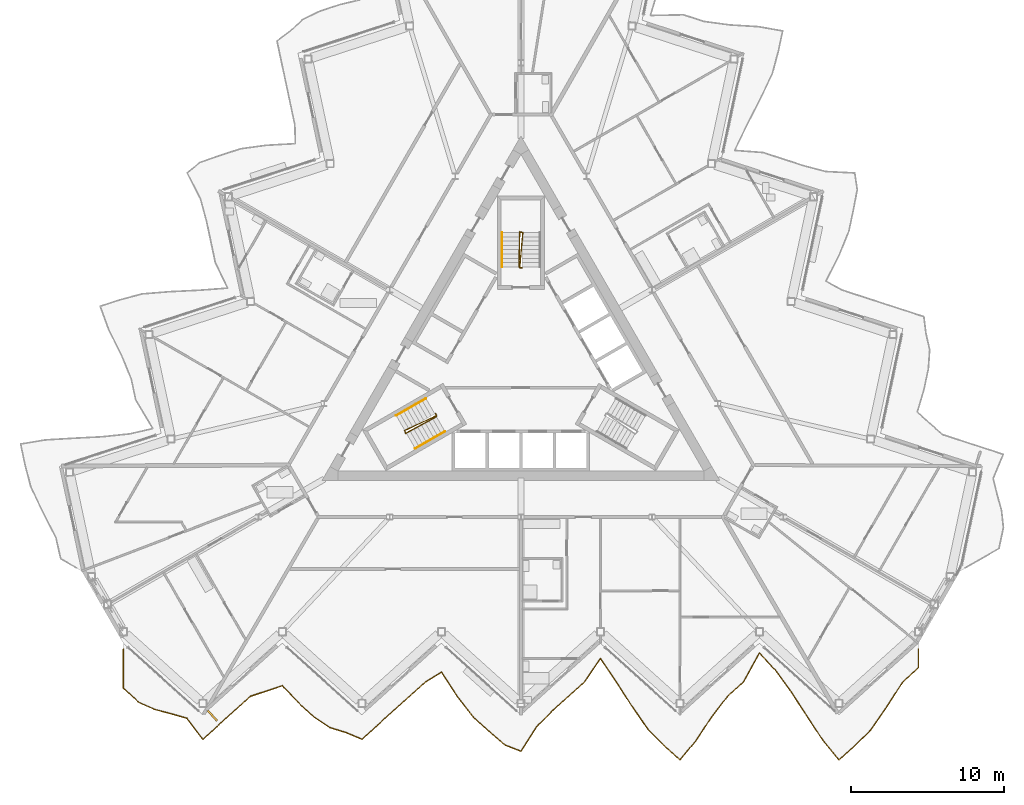
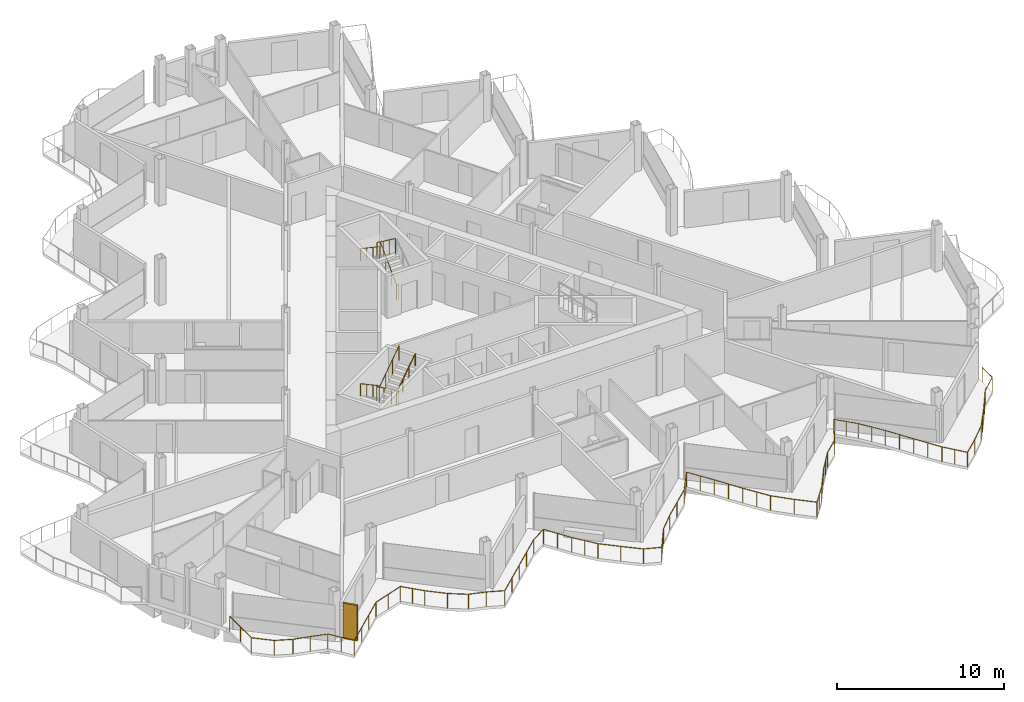
# One storey, part 22 of 27: 6 railings, 1 shading device.
"""IFC4 building model written with IfcOpenShell, lengths in metres."""

from ifc_helpers import new_model, si_unit, direction, frame, origin, origin_2d, place, context, subcontext, project, spatial, rectangle, circle, extrude, material, layer, layer_set, type_object, element, save


model = new_model("IFC4")

# Units and contexts
model_context = context("Model", 3, precision=1e-05, world=origin(), true_north=direction((0.0, 1.0)))
body_context = subcontext(model_context, "Body", "Model", "MODEL_VIEW")
ifc_project = project(units=[si_unit("LENGTHUNIT", "METRE"), si_unit("AREAUNIT", "SQUARE_METRE"), si_unit("VOLUMEUNIT", "CUBIC_METRE"), si_unit("PLANEANGLEUNIT", "RADIAN"), si_unit("MASSUNIT", "GRAM", prefix="KILO")], contexts=[model_context])

# Site, building, storey
site_placement = place(None, origin())
site = spatial("IfcSite", under=ifc_project, at=site_placement, CompositionType="ELEMENT")
building_placement = place(site_placement, origin())
building = spatial("IfcBuilding", under=site, at=building_placement, Name="Cormorant Prow Tower", CompositionType="ELEMENT")
storey_placement = place(building_placement, frame((0.0, 0.0, 361.0)))
storey = spatial("IfcBuildingStorey", under=building, at=storey_placement, Name="L80", CompositionType="ELEMENT", Elevation=361.0)

# Railings
ifc_material_1 = material(Name="Aluminium 6063-T6", Category="aluminium")
railing_type_1 = type_object("IfcRailingType", Name="Balcony guard 1100", PredefinedType="GUARDRAIL", material=ifc_material_1)
railing_1_placement = place(storey_placement, frame((-26.0, -18.537353515625, 0.0)))
element("IfcRailing", 1, at=railing_1_placement, inside=storey, type_object=railing_type_1, Name="Balcony guard S", PredefinedType="GUARDRAIL", context=body_context, shape_type="SweptSolid", body=[
    extrude(circle(Radius=0.02392578125, at=origin_2d()), frame((0.0, 0.0, 1.076171875), z_axis=(0.0, -1.0, 0.0), x_axis=(1.0, 0.0, 0.0)), (0.0, 0.0, 1.0), 2.570068359375),
    extrude(circle(Radius=0.02392578125, at=origin_2d()), frame((0.0, -2.570068359375, 1.076171875), z_axis=(0.743207391022, -0.669061113749, 0.0), x_axis=(0.669061113749, 0.743207391022, 0.0)), (0.0, 0.0, 1.0), 1.3994140625),
    extrude(circle(Radius=0.02392578125, at=origin_2d()), frame((1.0400390625, -3.50634765625, 1.076171875), z_axis=(0.916374427573, -0.400322255801, 0.0), x_axis=(0.400322255801, 0.916374427573, 0.0)), (0.0, 0.0, 1.0), 1.135009765625),
    extrude(circle(Radius=0.02392578125, at=origin_2d()), frame((2.080078125, -3.960693359375, 1.076171875), z_axis=(0.967634155285, -0.252357170545, 0.0), x_axis=(0.252357170545, 0.967634155285, 0.0)), (0.0, 0.0, 1.0), 1.07470703125),
    extrude(circle(Radius=0.02392578125, at=origin_2d()), frame((3.1201171875, -4.23193359375, 1.076171875), z_axis=(0.960857090041, -0.277044495555, 0.0), x_axis=(0.277044495555, 0.960857090041, 0.0)), (0.0, 0.0, 1.0), 1.082275390625),
    extrude(circle(Radius=0.02392578125, at=origin_2d()), frame((4.159912109375, -4.53173828125, 1.076171875), z_axis=(0.604554194416, -0.796564012502, 0.0), x_axis=(0.796564012502, 0.604554194416, 0.0)), (0.0, 0.0, 1.0), 1.720458984375),
    extrude(circle(Radius=0.02392578125, at=origin_2d()), frame((5.199951171875, -5.902099609375, 1.076171875), z_axis=(0.743120643554, 0.66915746213, 0.0), x_axis=(-0.66915746213, 0.743120643554, 0.0)), (0.0, 0.0, 1.0), 1.399658203125),
    extrude(circle(Radius=0.02392578125, at=origin_2d()), frame((6.239990234375, -4.965576171875, 1.076171875), z_axis=(0.743207391022, 0.669061113749, 0.0), x_axis=(-0.669061113749, 0.743207391022, 0.0)), (0.0, 0.0, 1.0), 1.3994140625),
    extrude(circle(Radius=0.02392578125, at=origin_2d()), frame((7.280029296875, -4.029296875, 1.076171875), z_axis=(0.743120643554, 0.66915746213, 0.0), x_axis=(-0.66915746213, 0.743120643554, 0.0)), (0.0, 0.0, 1.0), 1.399658203125),
    extrude(circle(Radius=0.02392578125, at=origin_2d()), frame((8.320068359375, -3.0927734375, 1.076171875), z_axis=(0.948616472905, 0.316428170891, 0.0), x_axis=(-0.316428170891, 0.948616472905, 0.0)), (0.0, 0.0, 1.0), 1.096435546875),
    extrude(circle(Radius=0.02392578125, at=origin_2d()), frame((9.360107421875, -2.745849609375, 1.076171875), z_axis=(0.949394211845, 0.314086979218, 0.0), x_axis=(-0.314086979218, 0.949394211845, 0.0)), (0.0, 0.0, 1.0), 1.09521484375),
    extrude(circle(Radius=0.02392578125, at=origin_2d()), frame((10.39990234375, -2.40185546875, 1.076171875), z_axis=(0.68554538763, -0.728029890526, 0.0), x_axis=(0.728029890526, 0.68554538763, 0.0)), (0.0, 0.0, 1.0), 1.51708984375),
    extrude(circle(Radius=0.02392578125, at=origin_2d()), frame((11.43994140625, -3.50634765625, 1.076171875), z_axis=(0.743120643554, -0.66915746213, 0.0), x_axis=(0.66915746213, 0.743120643554, 0.0)), (0.0, 0.0, 1.0), 1.399658203125),
    extrude(circle(Radius=0.02392578125, at=origin_2d()), frame((12.47998046875, -4.44287109375, 1.076171875), z_axis=(0.829344874262, -0.558737039702, 0.0), x_axis=(0.558737039702, 0.829344874262, 0.0)), (0.0, 0.0, 1.0), 1.254150390625),
    extrude(circle(Radius=0.02392578125, at=origin_2d()), frame((13.52001953125, -5.1435546875, 1.076171875), z_axis=(0.955448650181, -0.295157376441, 0.0), x_axis=(0.295157376441, 0.955448650181, 0.0)), (0.0, 0.0, 1.0), 1.088623046875),
    extrude(circle(Radius=0.02392578125, at=origin_2d()), frame((14.56005859375, -5.46484375, 1.076171875), z_axis=(0.92184298234, -0.387563563702, 0.0), x_axis=(0.387563563702, 0.92184298234, 0.0)), (0.0, 0.0, 1.0), 1.128173828125),
    extrude(circle(Radius=0.02392578125, at=origin_2d()), frame((15.60009765625, -5.902099609375, 1.076171875), z_axis=(0.74304251841, 0.669244212403, 0.0), x_axis=(-0.669244212403, 0.74304251841, 0.0)), (0.0, 0.0, 1.0), 1.3994140625),
    extrude(circle(Radius=0.02392578125, at=origin_2d()), frame((16.639892578125, -4.965576171875, 1.076171875), z_axis=(0.743207391022, 0.669061113749, 0.0), x_axis=(-0.669061113749, 0.743207391022, 0.0)), (0.0, 0.0, 1.0), 1.3994140625),
    extrude(circle(Radius=0.02392578125, at=origin_2d()), frame((17.679931640625, -4.029296875, 1.076171875), z_axis=(0.743120643554, 0.66915746213, 0.0), x_axis=(-0.66915746213, 0.743120643554, 0.0)), (0.0, 0.0, 1.0), 1.399658203125),
    extrude(circle(Radius=0.02392578125, at=origin_2d()), frame((18.719970703125, -3.0927734375, 1.076171875), z_axis=(0.743207391022, 0.669061113749, 0.0), x_axis=(-0.669061113749, 0.743207391022, 0.0)), (0.0, 0.0, 1.0), 1.3994140625),
    extrude(circle(Radius=0.02392578125, at=origin_2d()), frame((19.760009765625, -2.156494140625, 1.076171875), z_axis=(0.850992323879, 0.525178126638, 0.0), x_axis=(-0.525178126638, 0.850992323879, 0.0)), (0.0, 0.0, 1.0), 1.22216796875),
    extrude(circle(Radius=0.02392578125, at=origin_2d()), frame((20.800048828125, -1.5146484375, 1.076171875), z_axis=(0.547384374412, -0.836881321724, 0.0), x_axis=(0.836881321724, 0.547384374412, 0.0)), (0.0, 0.0, 1.0), 1.89990234375),
    extrude(circle(Radius=0.02392578125, at=origin_2d()), frame((21.840087890625, -3.104736328125, 1.076171875), z_axis=(0.613581490625, -0.789631404113, 0.0), x_axis=(0.789631404113, 0.613581490625, 0.0)), (0.0, 0.0, 1.0), 1.694580078125),
    extrude(circle(Radius=0.02392578125, at=origin_2d()), frame((22.8798828125, -4.44287109375, 1.076171875), z_axis=(0.743207391022, -0.669061113749, 0.0), x_axis=(0.669061113749, 0.743207391022, 0.0)), (0.0, 0.0, 1.0), 1.3994140625),
    extrude(circle(Radius=0.02392578125, at=origin_2d()), frame((23.919921875, -5.379150390625, 1.076171875), z_axis=(0.755601290765, -0.655031823192, 0.0), x_axis=(0.655031823192, 0.755601290765, 0.0)), (0.0, 0.0, 1.0), 1.37646484375),
    extrude(circle(Radius=0.02392578125, at=origin_2d()), frame((24.9599609375, -6.28076171875, 1.076171875), z_axis=(0.931610131037, -0.363459163799, 0.0), x_axis=(0.363459163799, 0.931610131037, 0.0)), (0.0, 0.0, 1.0), 1.116455078125),
    extrude(circle(Radius=0.02392578125, at=origin_2d()), frame((26.0, -6.6865234375, 1.076171875), z_axis=(0.54270708982, 0.839922028916, 0.0), x_axis=(-0.839922028916, 0.54270708982, 0.0)), (0.0, 0.0, 1.0), 1.91650390625),
    extrude(circle(Radius=0.02392578125, at=origin_2d()), frame((27.0400390625, -5.076904296875, 1.076171875), z_axis=(0.704538672228, 0.709665596838, 0.0), x_axis=(-0.709665596838, 0.704538672228, 0.0)), (0.0, 0.0, 1.0), 1.476318359375),
    extrude(circle(Radius=0.02392578125, at=origin_2d()), frame((28.080078125, -4.029296875, 1.076171875), z_axis=(0.743120643554, 0.66915746213, 0.0), x_axis=(-0.66915746213, 0.743120643554, 0.0)), (0.0, 0.0, 1.0), 1.399658203125),
    extrude(circle(Radius=0.02392578125, at=origin_2d()), frame((29.1201171875, -3.0927734375, 1.076171875), z_axis=(0.743129279254, 0.669147871786, 0.0), x_axis=(-0.669147871786, 0.743129279254, 0.0)), (0.0, 0.0, 1.0), 1.399169921875),
    extrude(circle(Radius=0.02392578125, at=origin_2d()), frame((30.159912109375, -2.156494140625, 1.076171875), z_axis=(0.563152221861, 0.826353178135, 0.0), x_axis=(-0.826353178135, 0.563152221861, 0.0)), (0.0, 0.0, 1.0), 1.846923828125),
    extrude(circle(Radius=0.02392578125, at=origin_2d()), frame((31.199951171875, -0.63037109375, 1.076171875), z_axis=(0.563152221861, -0.826353178135, 0.0), x_axis=(0.826353178135, 0.563152221861, 0.0)), (0.0, 0.0, 1.0), 1.846923828125),
    extrude(circle(Radius=0.02392578125, at=origin_2d()), frame((32.239990234375, -2.156494140625, 1.076171875), z_axis=(0.541547631663, -0.840670067649, 0.0), x_axis=(0.840670067649, 0.541547631663, 0.0)), (0.0, 0.0, 1.0), 1.92041015625),
    extrude(circle(Radius=0.02392578125, at=origin_2d()), frame((33.280029296875, -3.77099609375, 1.076171875), z_axis=(0.569043261498, -0.822307586334, 0.0), x_axis=(0.822307586334, 0.569043261498, 0.0)), (0.0, 0.0, 1.0), 1.82763671875),
    extrude(circle(Radius=0.02392578125, at=origin_2d()), frame((34.320068359375, -5.27392578125, 1.076171875), z_axis=(0.706526063762, -0.707687022083, 0.0), x_axis=(0.707687022083, 0.706526063762, 0.0)), (0.0, 0.0, 1.0), 1.47216796875),
    extrude(circle(Radius=0.02392578125, at=origin_2d()), frame((35.360107421875, -6.315673828125, 1.076171875), z_axis=(0.743129279254, -0.669147871786, 0.0), x_axis=(0.669147871786, 0.743129279254, 0.0)), (0.0, 0.0, 1.0), 1.399169921875),
    extrude(circle(Radius=0.02392578125, at=origin_2d()), frame((36.39990234375, -7.251953125, 1.076171875), z_axis=(0.641442431964, 0.767171171562, 0.0), x_axis=(-0.767171171562, 0.641442431964, 0.0)), (0.0, 0.0, 1.0), 1.621337890625),
    extrude(circle(Radius=0.02392578125, at=origin_2d()), frame((37.43994140625, -6.008056640625, 1.076171875), z_axis=(0.552065689111, 0.833800620596, 0.0), x_axis=(-0.833800620596, 0.552065689111, 0.0)), (0.0, 0.0, 1.0), 1.8837890625),
    extrude(circle(Radius=0.02392578125, at=origin_2d()), frame((38.47998046875, -4.437255859375, 1.076171875), z_axis=(0.611860282044, 0.790965862258, 0.0), x_axis=(-0.790965862258, 0.611860282044, 0.0)), (0.0, 0.0, 1.0), 1.69970703125),
    extrude(circle(Radius=0.02392578125, at=origin_2d()), frame((39.52001953125, -3.0927734375, 1.076171875), z_axis=(0.743207391022, 0.669061113749, 0.0), x_axis=(-0.669061113749, 0.743207391022, 0.0)), (0.0, 0.0, 1.0), 1.3994140625),
    extrude(circle(Radius=0.02392578125, at=origin_2d()), frame((40.56005859375, -2.156494140625, 1.076171875), z_axis=(0.48280168143, 0.875729716527, 0.0), x_axis=(-0.875729716527, 0.48280168143, 0.0)), (0.0, 0.0, 1.0), 2.154052734375),
    extrude(circle(Radius=0.02392578125, at=origin_2d()), frame((41.60009765625, -0.27001953125, 1.076171875), z_axis=(0.682015798923, -0.73133743923, 0.0), x_axis=(0.73133743923, 0.682015798923, 0.0)), (0.0, 0.0, 1.0), 1.524658203125),
    extrude(circle(Radius=0.02392578125, at=origin_2d()), frame((42.639892578125, -1.385009765625, 1.076171875), z_axis=(0.588073196089, -0.80880771265, 0.0), x_axis=(0.80880771265, 0.588073196089, 0.0)), (0.0, 0.0, 1.0), 1.7685546875),
    extrude(circle(Radius=0.02392578125, at=origin_2d()), frame((43.679931640625, -2.8154296875, 1.076171875), z_axis=(0.54486246552, -0.838525428158, 0.0), x_axis=(0.838525428158, 0.54486246552, 0.0)), (0.0, 0.0, 1.0), 1.90869140625),
    extrude(circle(Radius=0.02392578125, at=origin_2d()), frame((44.719970703125, -4.416015625, 1.076171875), z_axis=(0.551053037162, -0.834470221299, 0.0), x_axis=(0.834470221299, 0.551053037162, 0.0)), (0.0, 0.0, 1.0), 1.887451171875),
    extrude(circle(Radius=0.02392578125, at=origin_2d()), frame((45.760009765625, -5.990966796875, 1.076171875), z_axis=(0.636282967316, -0.771455757321, 0.0), x_axis=(0.771455757321, 0.636282967316, 0.0)), (0.0, 0.0, 1.0), 1.634521484375),
    extrude(circle(Radius=0.02392578125, at=origin_2d()), frame((46.800048828125, -7.251953125, 1.076171875), z_axis=(0.743207391022, 0.669061113749, 0.0), x_axis=(-0.669061113749, 0.743207391022, 0.0)), (0.0, 0.0, 1.0), 1.3994140625),
    extrude(circle(Radius=0.02392578125, at=origin_2d()), frame((47.840087890625, -6.315673828125, 1.076171875), z_axis=(0.711186061017, 0.703003831153, 0.0), x_axis=(-0.703003831153, 0.711186061017, 0.0)), (0.0, 0.0, 1.0), 1.462158203125),
    extrude(circle(Radius=0.02392578125, at=origin_2d()), frame((48.8798828125, -5.287841796875, 1.076171875), z_axis=(0.570671927057, 0.821178148558, 0.0), x_axis=(-0.821178148558, 0.570671927057, 0.0)), (0.0, 0.0, 1.0), 1.822509765625),
    extrude(circle(Radius=0.02392578125, at=origin_2d()), frame((49.919921875, -3.791259765625, 1.076171875), z_axis=(0.541663400819, 0.840595479534, 0.0), x_axis=(-0.840595479534, 0.541663400819, 0.0)), (0.0, 0.0, 1.0), 1.920166015625),
    extrude(circle(Radius=0.02392578125, at=origin_2d()), frame((50.9599609375, -2.17724609375, 1.076171875), z_axis=(0.735776085654, 0.677224890106, 0.0), x_axis=(-0.677224890106, 0.735776085654, 0.0)), (0.0, 0.0, 1.0), 1.41357421875),
    extrude(circle(Radius=0.02392578125, at=origin_2d()), frame((52.0, -1.219970703125, 1.076171875), z_axis=(0.0, 1.0, 0.0), x_axis=(-1.0, 0.0, 0.0)), (0.0, 0.0, 1.0), 1.219970703125),
    extrude(circle(Radius=0.02099609375, at=origin_2d()), origin(), (0.0, 0.0, 1.0), 1.052001953125),
    extrude(circle(Radius=0.02099609375, at=origin_2d()), frame((0.0, -1.28515625, 0.0)), (0.0, 0.0, 1.0), 1.052001953125),
    extrude(circle(Radius=0.02099609375, at=origin_2d()), frame((0.0, -2.570068359375, 0.0)), (0.0, 0.0, 1.0), 1.052001953125),
    extrude(circle(Radius=0.02099609375, at=origin_2d()), frame((1.0400390625, -3.50634765625, 0.0)), (0.0, 0.0, 1.0), 1.052001953125),
    extrude(circle(Radius=0.02099609375, at=origin_2d()), frame((2.080078125, -3.960693359375, 0.0)), (0.0, 0.0, 1.0), 1.052001953125),
    extrude(circle(Radius=0.02099609375, at=origin_2d()), frame((3.1201171875, -4.23193359375, 0.0)), (0.0, 0.0, 1.0), 1.052001953125),
    extrude(circle(Radius=0.02099609375, at=origin_2d()), frame((4.159912109375, -4.53173828125, 0.0)), (0.0, 0.0, 1.0), 1.052001953125),
    extrude(circle(Radius=0.02099609375, at=origin_2d()), frame((4.679931640625, -5.216796875, 0.0)), (0.0, 0.0, 1.0), 1.052001953125),
    extrude(circle(Radius=0.02099609375, at=origin_2d()), frame((5.199951171875, -5.902099609375, 0.0)), (0.0, 0.0, 1.0), 1.052001953125),
    extrude(circle(Radius=0.02099609375, at=origin_2d()), frame((6.239990234375, -4.965576171875, 0.0)), (0.0, 0.0, 1.0), 1.052001953125),
    extrude(circle(Radius=0.02099609375, at=origin_2d()), frame((7.280029296875, -4.029296875, 0.0)), (0.0, 0.0, 1.0), 1.052001953125),
    extrude(circle(Radius=0.02099609375, at=origin_2d()), frame((8.320068359375, -3.0927734375, 0.0)), (0.0, 0.0, 1.0), 1.052001953125),
    extrude(circle(Radius=0.02099609375, at=origin_2d()), frame((9.360107421875, -2.745849609375, 0.0)), (0.0, 0.0, 1.0), 1.052001953125),
    extrude(circle(Radius=0.02099609375, at=origin_2d()), frame((10.39990234375, -2.40185546875, 0.0)), (0.0, 0.0, 1.0), 1.052001953125),
    extrude(circle(Radius=0.02099609375, at=origin_2d()), frame((10.919921875, -2.9541015625, 0.0)), (0.0, 0.0, 1.0), 1.052001953125),
    extrude(circle(Radius=0.02099609375, at=origin_2d()), frame((11.43994140625, -3.50634765625, 0.0)), (0.0, 0.0, 1.0), 1.052001953125),
    extrude(circle(Radius=0.02099609375, at=origin_2d()), frame((12.47998046875, -4.44287109375, 0.0)), (0.0, 0.0, 1.0), 1.052001953125),
    extrude(circle(Radius=0.02099609375, at=origin_2d()), frame((13.52001953125, -5.1435546875, 0.0)), (0.0, 0.0, 1.0), 1.052001953125),
    extrude(circle(Radius=0.02099609375, at=origin_2d()), frame((14.56005859375, -5.46484375, 0.0)), (0.0, 0.0, 1.0), 1.052001953125),
    extrude(circle(Radius=0.02099609375, at=origin_2d()), frame((15.60009765625, -5.902099609375, 0.0)), (0.0, 0.0, 1.0), 1.052001953125),
    extrude(circle(Radius=0.02099609375, at=origin_2d()), frame((16.639892578125, -4.965576171875, 0.0)), (0.0, 0.0, 1.0), 1.052001953125),
    extrude(circle(Radius=0.02099609375, at=origin_2d()), frame((17.679931640625, -4.029296875, 0.0)), (0.0, 0.0, 1.0), 1.052001953125),
    extrude(circle(Radius=0.02099609375, at=origin_2d()), frame((18.719970703125, -3.0927734375, 0.0)), (0.0, 0.0, 1.0), 1.052001953125),
    extrude(circle(Radius=0.02099609375, at=origin_2d()), frame((19.760009765625, -2.156494140625, 0.0)), (0.0, 0.0, 1.0), 1.052001953125),
    extrude(circle(Radius=0.02099609375, at=origin_2d()), frame((20.800048828125, -1.5146484375, 0.0)), (0.0, 0.0, 1.0), 1.052001953125),
    extrude(circle(Radius=0.02099609375, at=origin_2d()), frame((21.320068359375, -2.3095703125, 0.0)), (0.0, 0.0, 1.0), 1.052001953125),
    extrude(circle(Radius=0.02099609375, at=origin_2d()), frame((21.840087890625, -3.104736328125, 0.0)), (0.0, 0.0, 1.0), 1.052001953125),
    extrude(circle(Radius=0.02099609375, at=origin_2d()), frame((22.35986328125, -3.77392578125, 0.0)), (0.0, 0.0, 1.0), 1.052001953125),
    extrude(circle(Radius=0.02099609375, at=origin_2d()), frame((22.8798828125, -4.44287109375, 0.0)), (0.0, 0.0, 1.0), 1.052001953125),
    extrude(circle(Radius=0.02099609375, at=origin_2d()), frame((23.919921875, -5.379150390625, 0.0)), (0.0, 0.0, 1.0), 1.052001953125),
    extrude(circle(Radius=0.02099609375, at=origin_2d()), frame((24.9599609375, -6.28076171875, 0.0)), (0.0, 0.0, 1.0), 1.052001953125),
    extrude(circle(Radius=0.02099609375, at=origin_2d()), frame((26.0, -6.6865234375, 0.0)), (0.0, 0.0, 1.0), 1.052001953125),
    extrude(circle(Radius=0.02099609375, at=origin_2d()), frame((26.52001953125, -5.8818359375, 0.0)), (0.0, 0.0, 1.0), 1.052001953125),
    extrude(circle(Radius=0.02099609375, at=origin_2d()), frame((27.0400390625, -5.076904296875, 0.0)), (0.0, 0.0, 1.0), 1.052001953125),
    extrude(circle(Radius=0.02099609375, at=origin_2d()), frame((28.080078125, -4.029296875, 0.0)), (0.0, 0.0, 1.0), 1.052001953125),
    extrude(circle(Radius=0.02099609375, at=origin_2d()), frame((29.1201171875, -3.0927734375, 0.0)), (0.0, 0.0, 1.0), 1.052001953125),
    extrude(circle(Radius=0.02099609375, at=origin_2d()), frame((30.159912109375, -2.156494140625, 0.0)), (0.0, 0.0, 1.0), 1.052001953125),
    extrude(circle(Radius=0.02099609375, at=origin_2d()), frame((30.679931640625, -1.3935546875, 0.0)), (0.0, 0.0, 1.0), 1.052001953125),
    extrude(circle(Radius=0.02099609375, at=origin_2d()), frame((31.199951171875, -0.63037109375, 0.0)), (0.0, 0.0, 1.0), 1.052001953125),
    extrude(circle(Radius=0.02099609375, at=origin_2d()), frame((31.719970703125, -1.3935546875, 0.0)), (0.0, 0.0, 1.0), 1.052001953125),
    extrude(circle(Radius=0.02099609375, at=origin_2d()), frame((32.239990234375, -2.156494140625, 0.0)), (0.0, 0.0, 1.0), 1.052001953125),
    extrude(circle(Radius=0.02099609375, at=origin_2d()), frame((32.760009765625, -2.9638671875, 0.0)), (0.0, 0.0, 1.0), 1.052001953125),
    extrude(circle(Radius=0.02099609375, at=origin_2d()), frame((33.280029296875, -3.77099609375, 0.0)), (0.0, 0.0, 1.0), 1.052001953125),
    extrude(circle(Radius=0.02099609375, at=origin_2d()), frame((33.800048828125, -4.5224609375, 0.0)), (0.0, 0.0, 1.0), 1.052001953125),
    extrude(circle(Radius=0.02099609375, at=origin_2d()), frame((34.320068359375, -5.27392578125, 0.0)), (0.0, 0.0, 1.0), 1.052001953125),
    extrude(circle(Radius=0.02099609375, at=origin_2d()), frame((35.360107421875, -6.315673828125, 0.0)), (0.0, 0.0, 1.0), 1.052001953125),
    extrude(circle(Radius=0.02099609375, at=origin_2d()), frame((36.39990234375, -7.251953125, 0.0)), (0.0, 0.0, 1.0), 1.052001953125),
    extrude(circle(Radius=0.02099609375, at=origin_2d()), frame((36.919921875, -6.6298828125, 0.0)), (0.0, 0.0, 1.0), 1.052001953125),
    extrude(circle(Radius=0.02099609375, at=origin_2d()), frame((37.43994140625, -6.008056640625, 0.0)), (0.0, 0.0, 1.0), 1.052001953125),
    extrude(circle(Radius=0.02099609375, at=origin_2d()), frame((37.9599609375, -5.22265625, 0.0)), (0.0, 0.0, 1.0), 1.052001953125),
    extrude(circle(Radius=0.02099609375, at=origin_2d()), frame((38.47998046875, -4.437255859375, 0.0)), (0.0, 0.0, 1.0), 1.052001953125),
    extrude(circle(Radius=0.02099609375, at=origin_2d()), frame((39.0, -3.76513671875, 0.0)), (0.0, 0.0, 1.0), 1.052001953125),
    extrude(circle(Radius=0.02099609375, at=origin_2d()), frame((39.52001953125, -3.0927734375, 0.0)), (0.0, 0.0, 1.0), 1.052001953125),
    extrude(circle(Radius=0.02099609375, at=origin_2d()), frame((40.56005859375, -2.156494140625, 0.0)), (0.0, 0.0, 1.0), 1.052001953125),
    extrude(circle(Radius=0.02099609375, at=origin_2d()), frame((41.080078125, -1.21337890625, 0.0)), (0.0, 0.0, 1.0), 1.052001953125),
    extrude(circle(Radius=0.02099609375, at=origin_2d()), frame((41.60009765625, -0.27001953125, 0.0)), (0.0, 0.0, 1.0), 1.052001953125),
    extrude(circle(Radius=0.02099609375, at=origin_2d()), frame((42.1201171875, -0.82763671875, 0.0)), (0.0, 0.0, 1.0), 1.052001953125),
    extrude(circle(Radius=0.02099609375, at=origin_2d()), frame((42.639892578125, -1.385009765625, 0.0)), (0.0, 0.0, 1.0), 1.052001953125),
    extrude(circle(Radius=0.02099609375, at=origin_2d()), frame((43.159912109375, -2.10009765625, 0.0)), (0.0, 0.0, 1.0), 1.052001953125),
    extrude(circle(Radius=0.02099609375, at=origin_2d()), frame((43.679931640625, -2.8154296875, 0.0)), (0.0, 0.0, 1.0), 1.052001953125),
    extrude(circle(Radius=0.02099609375, at=origin_2d()), frame((44.199951171875, -3.61572265625, 0.0)), (0.0, 0.0, 1.0), 1.052001953125),
    extrude(circle(Radius=0.02099609375, at=origin_2d()), frame((44.719970703125, -4.416015625, 0.0)), (0.0, 0.0, 1.0), 1.052001953125),
    extrude(circle(Radius=0.02099609375, at=origin_2d()), frame((45.239990234375, -5.20361328125, 0.0)), (0.0, 0.0, 1.0), 1.052001953125),
    extrude(circle(Radius=0.02099609375, at=origin_2d()), frame((45.760009765625, -5.990966796875, 0.0)), (0.0, 0.0, 1.0), 1.052001953125),
    extrude(circle(Radius=0.02099609375, at=origin_2d()), frame((46.280029296875, -6.62158203125, 0.0)), (0.0, 0.0, 1.0), 1.052001953125),
    extrude(circle(Radius=0.02099609375, at=origin_2d()), frame((46.800048828125, -7.251953125, 0.0)), (0.0, 0.0, 1.0), 1.052001953125),
    extrude(circle(Radius=0.02099609375, at=origin_2d()), frame((47.840087890625, -6.315673828125, 0.0)), (0.0, 0.0, 1.0), 1.052001953125),
    extrude(circle(Radius=0.02099609375, at=origin_2d()), frame((48.8798828125, -5.287841796875, 0.0)), (0.0, 0.0, 1.0), 1.052001953125),
    extrude(circle(Radius=0.02099609375, at=origin_2d()), frame((49.39990234375, -4.53955078125, 0.0)), (0.0, 0.0, 1.0), 1.052001953125),
    extrude(circle(Radius=0.02099609375, at=origin_2d()), frame((49.919921875, -3.791259765625, 0.0)), (0.0, 0.0, 1.0), 1.052001953125),
    extrude(circle(Radius=0.02099609375, at=origin_2d()), frame((50.43994140625, -2.984375, 0.0)), (0.0, 0.0, 1.0), 1.052001953125),
    extrude(circle(Radius=0.02099609375, at=origin_2d()), frame((50.9599609375, -2.17724609375, 0.0)), (0.0, 0.0, 1.0), 1.052001953125),
    extrude(circle(Radius=0.02099609375, at=origin_2d()), frame((52.0, -1.219970703125, 0.0)), (0.0, 0.0, 1.0), 1.052001953125),
    extrude(circle(Radius=0.02099609375, at=origin_2d()), frame((52.0, 0.0, 0.0)), (0.0, 0.0, 1.0), 1.052001953125),
])
ifc_material_2 = material(Name="Stainless steel", Category="steel")
railing_type_2 = type_object("IfcRailingType", Name="Stair guard 1100", PredefinedType="GUARDRAIL", material=ifc_material_2)
railing_2_placement = place(storey_placement, frame((-5.585205078125, -3.137939453125, 0.0)))
element("IfcRailing", 2, at=railing_2_placement, inside=storey, type_object=railing_type_2, Name="L80 ST1 stair guard 1", PredefinedType="GUARDRAIL", context=body_context, shape_type="SweptSolid", body=[
    extrude(circle(Radius=0.02392578125, at=origin_2d()), frame((0.0, 0.0, 1.076171875), z_axis=(0.501036270542, -0.865426285481, 0.0), x_axis=(0.865426285481, 0.501036270542, 0.0)), (0.0, 0.0, 1.0), 0.150146484375),
    extrude(circle(Radius=0.02392578125, at=origin_2d()), frame((0.0751953125, -0.1298828125, 1.076171875), z_axis=(-0.728641035543, -0.339941399566, 0.594577233152), x_axis=(0.422792438952, -0.906226546491, 0.0)), (0.0, 0.0, 1.0), 2.859130859375),
    extrude(circle(Radius=0.02392578125, at=origin_2d()), frame((-2.008056640625, -1.101806640625, 2.77587890625), z_axis=(0.275034262293, -0.961434425515, 0.0), x_axis=(0.961434425515, 0.275034262293, 0.0)), (0.0, 0.0, 1.0), 0.2060546875),
    extrude(circle(Radius=0.02392578125, at=origin_2d()), frame((-1.951416015625, -1.2998046875, 2.77587890625), z_axis=(0.704058451865, 0.386179398835, 0.595959032378), x_axis=(-0.480911908544, 0.87676891837, 0.0)), (0.0, 0.0, 1.0), 2.8525390625),
    extrude(circle(Radius=0.02099609375, at=origin_2d()), origin(), (0.0, 0.0, 1.0), 1.052001953125),
    extrude(circle(Radius=0.02099609375, at=origin_2d()), frame((0.0751953125, -0.1298828125, 0.0)), (0.0, 0.0, 1.0), 1.052001953125),
    extrude(circle(Radius=0.02099609375, at=origin_2d()), frame((-0.619140625, -0.453857421875, 0.566650390625)), (0.0, 0.0, 1.0), 1.052001953125),
    extrude(circle(Radius=0.02099609375, at=origin_2d()), frame((-1.313720703125, -0.77783203125, 1.13330078125)), (0.0, 0.0, 1.0), 1.052001953125),
    extrude(circle(Radius=0.02099609375, at=origin_2d()), frame((-2.008056640625, -1.101806640625, 1.699951171875)), (0.0, 0.0, 1.0), 1.052001953125),
    extrude(circle(Radius=0.02099609375, at=origin_2d()), frame((-1.951416015625, -1.2998046875, 1.699951171875)), (0.0, 0.0, 1.0), 1.052001953125),
    extrude(circle(Radius=0.02099609375, at=origin_2d()), frame((-1.281982421875, -0.9326171875, 2.2666015625)), (0.0, 0.0, 1.0), 1.052001953125),
    extrude(circle(Radius=0.02099609375, at=origin_2d()), frame((-0.612548828125, -0.5654296875, 2.833251953125)), (0.0, 0.0, 1.0), 1.052001953125),
    extrude(circle(Radius=0.02099609375, at=origin_2d()), frame((0.056884765625, -0.1982421875, 3.39990234375)), (0.0, 0.0, 1.0), 1.052001953125),
])
railing_3_placement = place(storey_placement, frame((0.074951171875, 6.40576171875, 0.0)))
element("IfcRailing", 3, at=railing_3_placement, inside=storey, type_object=railing_type_2, Name="L80 ST3 stair guard 1", PredefinedType="GUARDRAIL", context=body_context, shape_type="SweptSolid", body=[
    extrude(circle(Radius=0.02392578125, at=origin_2d()), frame((0.0, 0.0, 1.076171875), z_axis=(-1.0, 0.0, 0.0), x_axis=(0.0, -1.0, 0.0)), (0.0, 0.0, 1.0), 0.14990234375),
    extrude(circle(Radius=0.02392578125, at=origin_2d()), frame((-0.14990234375, 0.0, 1.076171875), z_axis=(0.069936542308, 0.800982621307, 0.594588698525), x_axis=(-0.996209839609, 0.086982500921, 0.0)), (0.0, 0.0, 1.0), 2.859130859375),
    extrude(circle(Radius=0.02392578125, at=origin_2d()), frame((0.050048828125, 2.2900390625, 2.77587890625), z_axis=(-0.970072785993, 0.242814311512, 0.0), x_axis=(-0.242814311512, -0.970072785993, 0.0)), (0.0, 0.0, 1.0), 0.2060546875),
    extrude(circle(Radius=0.02392578125, at=origin_2d()), frame((-0.14990234375, 2.340087890625, 2.77587890625), z_axis=(-0.017545750742, -0.80282508275, 0.595956402045), x_axis=(0.999761264773, -0.0218497931, 0.0)), (0.0, 0.0, 1.0), 2.8525390625),
    extrude(circle(Radius=0.02099609375, at=origin_2d()), origin(), (0.0, 0.0, 1.0), 1.052001953125),
    extrude(circle(Radius=0.02099609375, at=origin_2d()), frame((-0.14990234375, 0.0, 0.0)), (0.0, 0.0, 1.0), 1.052001953125),
    extrude(circle(Radius=0.02099609375, at=origin_2d()), frame((-0.083251953125, 0.763427734375, 0.566650390625)), (0.0, 0.0, 1.0), 1.052001953125),
    extrude(circle(Radius=0.02099609375, at=origin_2d()), frame((-0.0166015625, 1.526611328125, 1.13330078125)), (0.0, 0.0, 1.0), 1.052001953125),
    extrude(circle(Radius=0.02099609375, at=origin_2d()), frame((0.050048828125, 2.2900390625, 1.699951171875)), (0.0, 0.0, 1.0), 1.052001953125),
    extrude(circle(Radius=0.02099609375, at=origin_2d()), frame((-0.14990234375, 2.340087890625, 1.699951171875)), (0.0, 0.0, 1.0), 1.052001953125),
    extrude(circle(Radius=0.02099609375, at=origin_2d()), frame((-0.16650390625, 1.57666015625, 2.2666015625)), (0.0, 0.0, 1.0), 1.052001953125),
    extrude(circle(Radius=0.02099609375, at=origin_2d()), frame((-0.183349609375, 0.8134765625, 2.833251953125)), (0.0, 0.0, 1.0), 1.052001953125),
    extrude(circle(Radius=0.02099609375, at=origin_2d()), frame((-0.199951171875, 0.050048828125, 3.39990234375)), (0.0, 0.0, 1.0), 1.052001953125),
])
ifc_material_3 = material(Name="Stainless steel", Category="steel")
railing_type_3 = type_object("IfcRailingType", Name="Stair handrail 900", PredefinedType="HANDRAIL", material=ifc_material_3)
railing_4_placement = place(storey_placement, frame((-6.212890625, -2.150634765625, 0.18896484375)))
element("IfcRailing", 4, at=railing_4_placement, inside=storey, type_object=railing_type_3, Name="L80 ST1 stair handrail 1", PredefinedType="HANDRAIL", context=body_context, shape_type="SweptSolid", body=[
    extrude(circle(Radius=0.02392578125, at=origin_2d()), frame((0.0, 0.0, 0.8759765625), z_axis=(-0.717976596433, -0.414467486514, 0.559219375198), x_axis=(0.49994888933, -0.866054910533, 0.0)), (0.0, 0.0, 1.0), 2.701904296875),
    extrude(circle(Radius=0.02099609375, at=origin_2d()), origin(), (0.0, 0.0, 1.0), 0.851806640625),
    extrude(circle(Radius=0.02099609375, at=origin_2d()), frame((-0.646728515625, -0.373291015625, 0.503662109375)), (0.0, 0.0, 1.0), 0.851806640625),
    extrude(circle(Radius=0.02099609375, at=origin_2d()), frame((-1.293212890625, -0.74658203125, 1.00732421875)), (0.0, 0.0, 1.0), 0.851806640625),
    extrude(circle(Radius=0.02099609375, at=origin_2d()), frame((-1.93994140625, -1.119873046875, 1.510986328125)), (0.0, 0.0, 1.0), 0.851806640625),
])
railing_5_placement = place(storey_placement, frame((-6.90869140625, -5.42529296875, 1.888916015625)))
element("IfcRailing", 5, at=railing_5_placement, inside=storey, type_object=railing_type_3, Name="L80 ST1 stair handrail 2", PredefinedType="HANDRAIL", context=body_context, shape_type="SweptSolid", body=[
    extrude(circle(Radius=0.02392578125, at=origin_2d()), frame((0.0, 0.0, 0.8759765625), z_axis=(0.71790592183, 0.414569209485, 0.559234707389), x_axis=(-0.500077830873, 0.865980463445, 0.0)), (0.0, 0.0, 1.0), 2.701904296875),
    extrude(circle(Radius=0.02099609375, at=origin_2d()), origin(), (0.0, 0.0, 1.0), 0.851806640625),
    extrude(circle(Radius=0.02099609375, at=origin_2d()), frame((0.646484375, 0.373291015625, 0.503662109375)), (0.0, 0.0, 1.0), 0.851806640625),
    extrude(circle(Radius=0.02099609375, at=origin_2d()), frame((1.293212890625, 0.746826171875, 1.00732421875)), (0.0, 0.0, 1.0), 0.851806640625),
    extrude(circle(Radius=0.02099609375, at=origin_2d()), frame((1.939697265625, 1.1201171875, 1.510986328125)), (0.0, 0.0, 1.0), 0.851806640625),
])
railing_6_placement = place(storey_placement, frame((-1.243896484375, 8.69580078125, 1.888916015625)))
element("IfcRailing", 6, at=railing_6_placement, inside=storey, type_object=railing_type_3, Name="L80 ST3 stair handrail 2", PredefinedType="HANDRAIL", context=body_context, shape_type="SweptSolid", body=[
    extrude(circle(Radius=0.02392578125, at=origin_2d()), frame((0.0, 0.0, 0.8759765625), z_axis=(0.0, -0.829021472004, 0.559216772778), x_axis=(1.0, 0.0, 0.0)), (0.0, 0.0, 1.0), 2.701904296875),
    extrude(circle(Radius=0.02099609375, at=origin_2d()), origin(), (0.0, 0.0, 1.0), 0.851806640625),
    extrude(circle(Radius=0.02099609375, at=origin_2d()), frame((0.0, -0.74658203125, 0.503662109375)), (0.0, 0.0, 1.0), 0.851806640625),
    extrude(circle(Radius=0.02099609375, at=origin_2d()), frame((0.0, -1.493408203125, 1.00732421875)), (0.0, 0.0, 1.0), 0.851806640625),
    extrude(circle(Radius=0.02099609375, at=origin_2d()), frame((0.0, -2.239990234375, 1.510986328125)), (0.0, 0.0, 1.0), 0.851806640625),
])

# Shading device
ifc_material_4 = material(Name="Terracotta", Category="masonry")
ifc_layer = layer(ifc_material_4, 0.1201171875)
ifc_layer_set = layer_set([ifc_layer], Name="Terracotta")
shading_device_type = type_object("IfcShadingDeviceType", Name="Terracotta baguette fin 120x900x2600", PredefinedType="USERDEFINED", material=ifc_layer_set)
shading_device_placement = place(storey_placement, frame((-20.182373046875, -22.888916015625, 0.0), z_axis=(0.0, 0.0, 1.0), x_axis=(0.743144756574, 0.669130682884, 0.0)))
element("IfcShadingDevice", 7, at=shading_device_placement, inside=storey, type_object=shading_device_type, Name="Baguette fin S01", ObjectType="BAGUETTE", PredefinedType="USERDEFINED", context=body_context, shape_type="SweptSolid", body=[
    extrude(rectangle(XDim=0.1201171875, YDim=0.89990234375, at=origin_2d()), origin(), (0.0, 0.0, 1.0), 2.60009765625),
])

save(model, "model.ifc")
